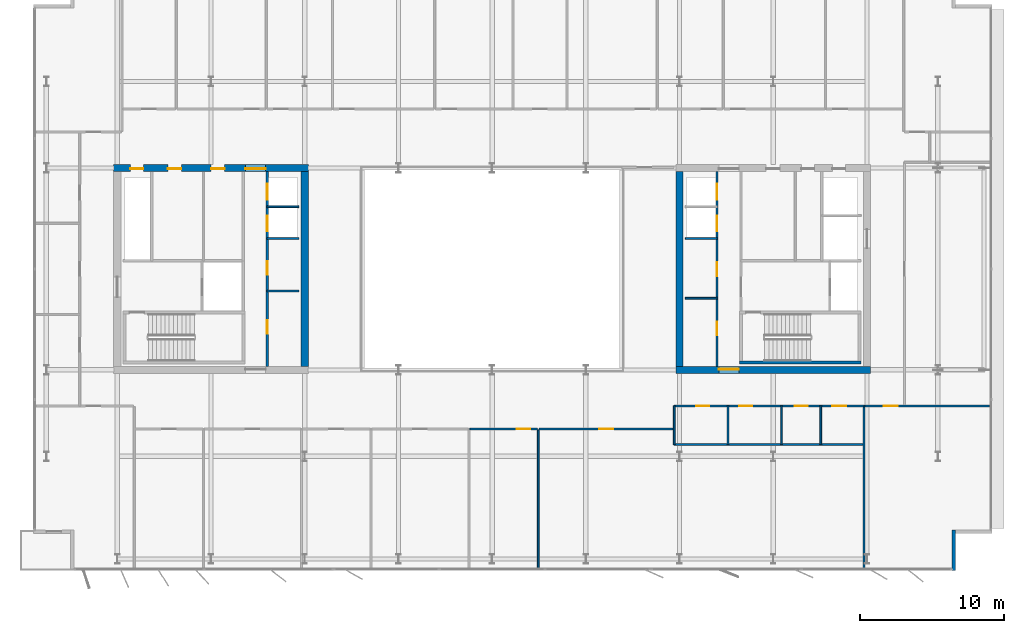
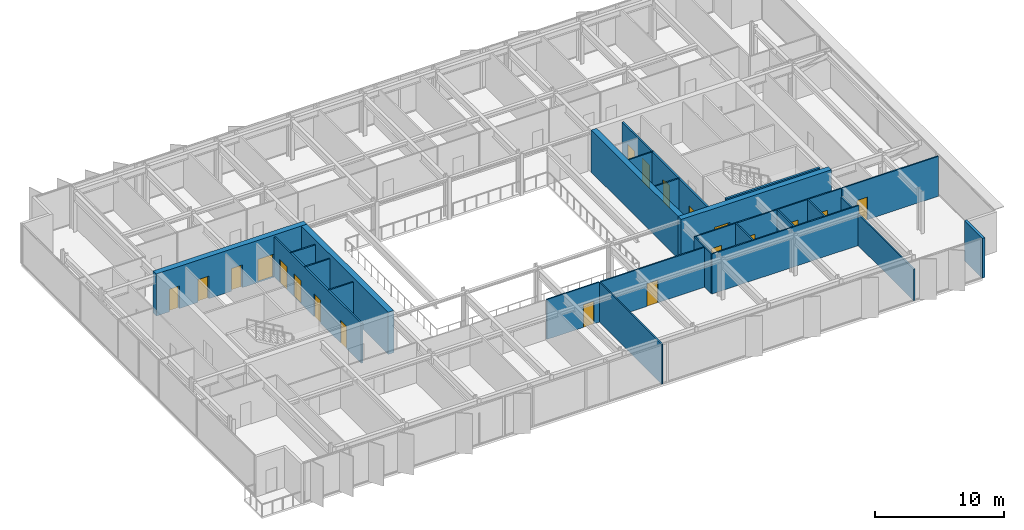
# One storey, part 14 of 20: 24 walls, 20 doors, 20 openings.
"""IFC4 building model written with IfcOpenShell, lengths in metres."""

from ifc_helpers import new_model, si_unit, direction, frame, frame_2d, origin, place, context, subcontext, project, spatial, rectangle, extrude, material, layer, layer_set, type_object, element, fill, save


model = new_model("IFC4")

# Units and contexts
model_context = context("Model", 3, precision=1e-05, world=origin(), true_north=direction((0.0, 1.0)))
body_context = subcontext(model_context, "Body", "Model", "MODEL_VIEW")
ifc_project = project(units=[si_unit("LENGTHUNIT", "METRE"), si_unit("AREAUNIT", "SQUARE_METRE"), si_unit("VOLUMEUNIT", "CUBIC_METRE"), si_unit("PLANEANGLEUNIT", "RADIAN"), si_unit("MASSUNIT", "GRAM", prefix="KILO")], contexts=[model_context])

# Site, building, storey
site_placement = place(None, origin())
site = spatial("IfcSite", under=ifc_project, at=site_placement, CompositionType="ELEMENT")
building_placement = place(site_placement, origin())
building = spatial("IfcBuilding", under=site, at=building_placement, Name="Putna Gate Headquarters", CompositionType="ELEMENT")
storey_placement = place(building_placement, frame((0.0, 0.0, 294.39990234375)))
storey = spatial("IfcBuildingStorey", under=building, at=storey_placement, Name="L74", CompositionType="ELEMENT", Elevation=294.39990234375)

# Wall, openings, doors
ifc_material_1 = material(Name="Concrete C50/60", Category="concrete")
ifc_layer_1 = layer(ifc_material_1, 0.5)
ifc_layer_set_1 = layer_set([ifc_layer_1], Name="Concrete C50/60")
wall_type_1 = type_object("IfcWallType", Name="WALL-CORE-500", PredefinedType="SHEAR", material=ifc_layer_set_1)
wall_1_placement = place(storey_placement, frame((12.75, 33.0, 0.0), z_axis=(0.0, 0.0, 1.0), x_axis=(1.0, 0.0, 0.0)))
wall_1 = element("IfcWall", 1, at=wall_1_placement, inside=storey, type_object=wall_type_1, Name="L74 WC Split Core Shear Wall N", PredefinedType="SHEAR", context=body_context, shape_type="SweptSolid", body=[
    extrude(rectangle(XDim=13.5, YDim=0.5, at=frame_2d((6.75, 0.0))), origin(), (0.0, 0.0, 1.0), 4.0),
])
opening_1_placement = place(wall_1_placement, frame((1.14990234375, 0.0, 0.0)))
opening_1 = element("IfcOpeningElement", 2, at=opening_1_placement, cuts=wall_1, Name="Opening RD-90", PredefinedType="OPENING", context=body_context, shape_type="SweptSolid", body=[
    extrude(rectangle(XDim=0.89990234375, YDim=2.14990234375, at=frame_2d((0.449951171875, 1.074951171875))), frame((0.0, 0.260009765625, 0.0), z_axis=(0.0, -1.0, 0.0), x_axis=(1.0, 0.0, 0.0)), (0.0, 0.0, 1.0), 0.52001953125),
])
opening_2_placement = place(wall_1_placement, frame((3.75, 0.0, 0.0)))
opening_2 = element("IfcOpeningElement", 3, at=opening_2_placement, cuts=wall_1, Name="Opening IDS-95", PredefinedType="OPENING", context=body_context, shape_type="SweptSolid", body=[
    extrude(rectangle(XDim=0.949951171875, YDim=2.14990234375, at=frame_2d((0.47509765625, 1.074951171875))), frame((0.0, 0.260009765625, 0.0), z_axis=(0.0, -1.0, 0.0), x_axis=(1.0, 0.0, 0.0)), (0.0, 0.0, 1.0), 0.52001953125),
])
opening_3_placement = place(wall_1_placement, frame((6.75, 0.0, 0.0)))
opening_3 = element("IfcOpeningElement", 4, at=opening_3_placement, cuts=wall_1, Name="Opening IDS-95", PredefinedType="OPENING", context=body_context, shape_type="SweptSolid", body=[
    extrude(rectangle(XDim=0.949951171875, YDim=2.14990234375, at=frame_2d((0.47509765625, 1.074951171875))), frame((0.0, 0.260009765625, 0.0), z_axis=(0.0, -1.0, 0.0), x_axis=(1.0, 0.0, 0.0)), (0.0, 0.0, 1.0), 0.52001953125),
])
opening_4_placement = place(wall_1_placement, frame((9.1298828125, 0.0, 0.0)))
opening_4 = element("IfcOpeningElement", 5, at=opening_4_placement, cuts=wall_1, Name="Opening FDD-140", PredefinedType="OPENING", context=body_context, shape_type="SweptSolid", body=[
    extrude(rectangle(XDim=1.39990234375, YDim=2.199951171875, at=frame_2d((0.699951171875, 1.10009765625))), frame((0.0, 0.260009765625, 0.0), z_axis=(0.0, -1.0, 0.0), x_axis=(1.0, 0.0, 0.0)), (0.0, 0.0, 1.0), 0.52001953125),
])
ifc_material_2 = material(Name="Double steel fire door", Category="steel")
door_type_1 = type_object("IfcDoorType", Name="DOOR-FIRE-DBL-1400", OperationType="DOUBLE_DOOR_SINGLE_SWING", PredefinedType="DOOR", material=ifc_material_2)
door_1_placement = place(opening_4_placement, origin())
door_1 = element("IfcDoor", 6, at=door_1_placement, inside=storey, type_object=door_type_1, Name="L74 West Lift Lobby North Door", OperationType="DOUBLE_DOOR_SINGLE_SWING", OverallHeight=2.199951171875, OverallWidth=1.39990234375, PredefinedType="DOOR", context=body_context, shape_type="SweptSolid", body=[
    extrude(rectangle(XDim=1.39990234375, YDim=2.199951171875, at=frame_2d((0.699951171875, 1.10009765625))), frame((0.0, -0.02490234375, 0.0), z_axis=(0.0, -1.0, 0.0), x_axis=(1.0, 0.0, 0.0)), (0.0, 0.0, 1.0), 0.050048828125),
])
fill(opening_4, door_1)
ifc_material_3 = material(Name="Fire-rated service timber door", Category="wood")
door_type_2 = type_object("IfcDoorType", Name="DOOR-INT-950", OperationType="NOTDEFINED", PredefinedType="DOOR", material=ifc_material_3)
door_2_placement = place(opening_2_placement, origin())
door_2 = element("IfcDoor", 7, at=door_2_placement, inside=storey, type_object=door_type_2, Name="L74 Cleaner Store Door", OperationType="SINGLE_SWING_LEFT", OverallHeight=2.14990234375, OverallWidth=0.949951171875, PredefinedType="DOOR", context=body_context, shape_type="SweptSolid", body=[
    extrude(rectangle(XDim=0.949951171875, YDim=2.14990234375, at=frame_2d((0.47509765625, 1.074951171875))), frame((0.0, -0.02490234375, 0.0), z_axis=(0.0, -1.0, 0.0), x_axis=(1.0, 0.0, 0.0)), (0.0, 0.0, 1.0), 0.050048828125),
])
fill(opening_2, door_2)
door_3_placement = place(opening_3_placement, origin())
door_3 = element("IfcDoor", 8, at=door_3_placement, inside=storey, type_object=door_type_2, Name="L74 Comms Plant Door", OperationType="SINGLE_SWING_RIGHT", OverallHeight=2.14990234375, OverallWidth=0.949951171875, PredefinedType="DOOR", context=body_context, shape_type="SweptSolid", body=[
    extrude(rectangle(XDim=0.949951171875, YDim=2.14990234375, at=frame_2d((0.47509765625, 1.074951171875))), frame((0.0, -0.02490234375, 0.0), z_axis=(0.0, -1.0, 0.0), x_axis=(1.0, 0.0, 0.0)), (0.0, 0.0, 1.0), 0.050048828125),
])
fill(opening_3, door_3)
ifc_material_4 = material(Name="Steel riser access fire door", Category="steel")
door_type_3 = type_object("IfcDoorType", Name="DOOR-RISER-900", OperationType="NOTDEFINED", PredefinedType="DOOR", material=ifc_material_4)
door_4_placement = place(opening_1_placement, origin())
door_4 = element("IfcDoor", 9, at=door_4_placement, inside=storey, type_object=door_type_3, Name="L74 West Riser Access Door", OperationType="SINGLE_SWING_RIGHT", OverallHeight=2.14990234375, OverallWidth=0.89990234375, PredefinedType="DOOR", context=body_context, shape_type="SweptSolid", body=[
    extrude(rectangle(XDim=0.89990234375, YDim=2.14990234375, at=frame_2d((0.449951171875, 1.074951171875))), frame((0.0, -0.02490234375, 0.0), z_axis=(0.0, -1.0, 0.0), x_axis=(1.0, 0.0, 0.0)), (0.0, 0.0, 1.0), 0.050048828125),
])
fill(opening_1, door_4)

# Wall
wall_2_placement = place(storey_placement, frame((26.0, 19.25, 0.0), z_axis=(0.0, 0.0, 1.0), x_axis=(0.0, 1.0, 0.0)))
element("IfcWall", 10, at=wall_2_placement, inside=storey, type_object=wall_type_1, Name="L74 WC Split Core Shear Wall E", PredefinedType="SHEAR", context=body_context, shape_type="SweptSolid", body=[
    extrude(rectangle(XDim=13.5, YDim=0.5, at=frame_2d((6.75, 0.0))), origin(), (0.0, 0.0, 1.0), 4.0),
])

# Wall, opening, door
wall_3_placement = place(storey_placement, frame((51.75, 19.0, 0.0), z_axis=(0.0, 0.0, 1.0), x_axis=(1.0, 0.0, 0.0)))
wall_3 = element("IfcWall", 11, at=wall_3_placement, inside=storey, type_object=wall_type_1, Name="L74 EC Split Core Shear Wall S", PredefinedType="SHEAR", context=body_context, shape_type="SweptSolid", body=[
    extrude(rectangle(XDim=13.5, YDim=0.5, at=frame_2d((6.75, 0.0))), origin(), (0.0, 0.0, 1.0), 4.0),
])
opening_5_placement = place(wall_3_placement, frame((2.969970703125, 0.0, 0.0)))
opening_5 = element("IfcOpeningElement", 12, at=opening_5_placement, cuts=wall_3, Name="Opening FDD-140", PredefinedType="OPENING", context=body_context, shape_type="SweptSolid", body=[
    extrude(rectangle(XDim=1.39990234375, YDim=2.199951171875, at=frame_2d((0.699951171875, 1.10009765625))), frame((0.0, 0.260009765625, 0.0), z_axis=(0.0, -1.0, 0.0), x_axis=(1.0, 0.0, 0.0)), (0.0, 0.0, 1.0), 0.52001953125),
])
door_5_placement = place(opening_5_placement, origin())
door_5 = element("IfcDoor", 13, at=door_5_placement, inside=storey, type_object=door_type_1, Name="L74 East Lift Lobby South Door", OperationType="DOUBLE_DOOR_SINGLE_SWING", OverallHeight=2.199951171875, OverallWidth=1.39990234375, PredefinedType="DOOR", context=body_context, shape_type="SweptSolid", body=[
    extrude(rectangle(XDim=1.39990234375, YDim=2.199951171875, at=frame_2d((0.699951171875, 1.10009765625))), frame((0.0, 0.0751953125, 0.0), z_axis=(0.0, -1.0, 0.0), x_axis=(1.0, 0.0, 0.0)), (0.0, 0.0, 1.0), 0.050048828125),
])
fill(opening_5, door_5)

# Walls
wall_4_placement = place(storey_placement, frame((52.0, 19.25, 0.0), z_axis=(0.0, 0.0, 1.0), x_axis=(0.0, 1.0, 0.0)))
element("IfcWall", 14, at=wall_4_placement, inside=storey, type_object=wall_type_1, Name="L74 EC Split Core Shear Wall W", PredefinedType="SHEAR", context=body_context, shape_type="SweptSolid", body=[
    extrude(rectangle(XDim=13.5, YDim=0.5, at=frame_2d((6.75, 0.0))), origin(), (0.0, 0.0, 1.0), 4.0),
])
ifc_material_5 = material(Name="Precast concrete C40/50", Category="concrete")
ifc_layer_2 = layer(ifc_material_5, 0.239990234375)
ifc_layer_set_2 = layer_set([ifc_layer_2], Name="Precast concrete C40/50")
wall_type_2 = type_object("IfcWallType", Name="WALL-EXT-TERR-240", PredefinedType="STANDARD", material=ifc_layer_set_2)
wall_5_placement = place(storey_placement, frame((71.0048828125, 7.89990234375, 0.0), z_axis=(0.0, 0.0, 1.0), x_axis=(0.0, -1.0, 0.0)))
element("IfcWall", 15, at=wall_5_placement, inside=storey, type_object=wall_type_2, Name="L74 Corner Notch Return Wall SE-V", PredefinedType="STANDARD", context=body_context, shape_type="SweptSolid", body=[
    extrude(rectangle(XDim=2.7998046875, YDim=0.239990234375, at=frame_2d((1.39990234375, 0.0))), origin(), (0.0, 0.0, 1.0), 3.7880859375),
])
ifc_material_6 = material(Name="Acoustic gypsum board on metal stud")
ifc_layer_3 = layer(ifc_material_6, 0.1201171875)
ifc_layer_set_3 = layer_set([ifc_layer_3], Name="Acoustic gypsum board on metal stud")
wall_type_3 = type_object("IfcWallType", Name="WALL-PART-120", PredefinedType="PARTITIONING", material=ifc_layer_set_3)
wall_6_placement = place(storey_placement, frame((42.199951171875, 5.1201171875, 0.0), z_axis=(0.0, 0.0, 1.0), x_axis=(0.0, 1.0, 0.0)))
element("IfcWall", 16, at=wall_6_placement, inside=storey, type_object=wall_type_3, Name="L74 Interior Wall PART-L74-SB-DIV-06", PredefinedType="PARTITIONING", context=body_context, shape_type="SweptSolid", body=[
    extrude(rectangle(XDim=9.719970703125, YDim=0.1201171875, at=frame_2d((4.85986328125, 0.0))), origin(), (0.0, 0.0, 1.0), 3.7880859375),
])
wall_7_placement = place(storey_placement, frame((64.800048828125, 5.1201171875, 0.0), z_axis=(0.0, 0.0, 1.0), x_axis=(0.0, 1.0, 0.0)))
element("IfcWall", 17, at=wall_7_placement, inside=storey, type_object=wall_type_3, Name="L74 Interior Wall PART-L74-SB-DIV-07", PredefinedType="PARTITIONING", context=body_context, shape_type="SweptSolid", body=[
    extrude(rectangle(XDim=11.31982421875, YDim=0.1201171875, at=frame_2d((5.659912109375, 0.0))), origin(), (0.0, 0.0, 1.0), 2.988037109375),
])
ifc_material_7 = material(Name="Fire-rated shaftwall gypsum board on metal stud")
ifc_layer_4 = layer(ifc_material_7, 0.1201171875)
ifc_layer_set_4 = layer_set([ifc_layer_4], Name="Fire-rated shaftwall gypsum board on metal stud")
wall_type_4 = type_object("IfcWallType", Name="WALL-PART-120-EI120", PredefinedType="PARTITIONING", material=ifc_layer_set_4)
wall_8_placement = place(storey_placement, frame((23.39990234375, 30.31005859375, 0.0), z_axis=(0.0, 0.0, 1.0), x_axis=(1.0, 0.0, 0.0)))
element("IfcWall", 18, at=wall_8_placement, inside=storey, type_object=wall_type_4, Name="L74 Interior Wall CWINT-L74-WC-LF09-DIV", PredefinedType="PARTITIONING", context=body_context, shape_type="SweptSolid", body=[
    extrude(rectangle(XDim=2.2001953125, YDim=0.1201171875, at=frame_2d((1.10009765625, 0.0))), origin(), (0.0, 0.0, 1.0), 3.7880859375),
])
ifc_material_8 = material(Name="Fire-rated gypsum board on metal stud")
ifc_layer_5 = layer(ifc_material_8, 0.1201171875)
ifc_layer_set_5 = layer_set([ifc_layer_5], Name="Fire-rated gypsum board on metal stud")
wall_type_5 = type_object("IfcWallType", Name="WALL-PART-120-RATED", PredefinedType="PARTITIONING", material=ifc_layer_set_5)
for number, where, z_axis, x_axis, name in (
    (19, (23.39990234375, 24.469970703125, 0.0), (0.0, 0.0, 1.0), (1.0, 0.0, 0.0), "L74 Interior Wall CWINT-L74-WC-REUSE-DIV"),
    (20, (23.39990234375, 28.1201171875, 0.0), (0.0, 0.0, 1.0), (1.0, 0.0, 0.0), "L74 Interior Wall CWINT-L74-WC-LF06-DIV"),
    (21, (52.39990234375, 23.969970703125, 0.0), (0.0, 0.0, 1.0), (1.0, 0.0, 0.0), "L74 Interior Wall CWINT-L74-EC-REUSE-DIV"),
    (22, (52.39990234375, 28.1201171875, 0.0), (0.0, 0.0, 1.0), (1.0, 0.0, 0.0), "L74 Interior Wall CWINT-L74-EC-LF08-DIV"),
):
    element("IfcWall", number, at=place(storey_placement, frame(where, z_axis=z_axis, x_axis=x_axis)), inside=storey, type_object=wall_type_5, Name=name, PredefinedType="PARTITIONING", context=body_context, shape_type="SweptSolid", body=[
        extrude(rectangle(XDim=2.2001953125, YDim=0.1201171875, at=frame_2d((1.10009765625, 0.0))), origin(), (0.0, 0.0, 1.0), 3.7880859375),
    ])

# Wall, openings, doors
wall_9_placement = place(storey_placement, frame((51.639892578125, 16.5, 0.0), z_axis=(0.0, 0.0, 1.0), x_axis=(1.0, 0.0, 0.0)))
wall_9 = element("IfcWall", 23, at=wall_9_placement, inside=storey, type_object=wall_type_5, Name="L74 Interior Wall PART-L74-SAN-CW", PredefinedType="PARTITIONING", context=body_context, shape_type="SweptSolid", body=[
    extrude(rectangle(XDim=13.16015625, YDim=0.1201171875, at=frame_2d((6.580078125, 0.0))), origin(), (0.0, 0.0, 1.0), 3.7880859375),
])
opening_6_placement = place(wall_9_placement, frame((1.510009765625, 0.0, 0.0)))
opening_6 = element("IfcOpeningElement", 24, at=opening_6_placement, cuts=wall_9, Name="Opening FD-90", PredefinedType="OPENING", context=body_context, shape_type="SweptSolid", body=[
    extrude(rectangle(XDim=0.89990234375, YDim=2.14990234375, at=frame_2d((0.449951171875, 1.074951171875))), frame((0.0, 0.070068359375, 0.0), z_axis=(0.0, -1.0, 0.0), x_axis=(1.0, 0.0, 0.0)), (0.0, 0.0, 1.0), 0.14013671875),
])
opening_7_placement = place(wall_9_placement, frame((4.510009765625, 0.0, 0.0)))
opening_7 = element("IfcOpeningElement", 25, at=opening_7_placement, cuts=wall_9, Name="Opening FD-90", PredefinedType="OPENING", context=body_context, shape_type="SweptSolid", body=[
    extrude(rectangle(XDim=0.89990234375, YDim=2.14990234375, at=frame_2d((0.449951171875, 1.074951171875))), frame((0.0, 0.070068359375, 0.0), z_axis=(0.0, -1.0, 0.0), x_axis=(1.0, 0.0, 0.0)), (0.0, 0.0, 1.0), 0.14013671875),
])
opening_8_placement = place(wall_9_placement, frame((8.360107421875, 0.0, 0.0)))
opening_8 = element("IfcOpeningElement", 26, at=opening_8_placement, cuts=wall_9, Name="Opening FD-90", PredefinedType="OPENING", context=body_context, shape_type="SweptSolid", body=[
    extrude(rectangle(XDim=0.89990234375, YDim=2.14990234375, at=frame_2d((0.449951171875, 1.074951171875))), frame((0.0, 0.070068359375, 0.0), z_axis=(0.0, -1.0, 0.0), x_axis=(1.0, 0.0, 0.0)), (0.0, 0.0, 1.0), 0.14013671875),
])
opening_9_placement = place(wall_9_placement, frame((10.9599609375, 0.0, 0.0)))
opening_9 = element("IfcOpeningElement", 27, at=opening_9_placement, cuts=wall_9, Name="Opening FD-95", PredefinedType="OPENING", context=body_context, shape_type="SweptSolid", body=[
    extrude(rectangle(XDim=0.949951171875, YDim=2.14990234375, at=frame_2d((0.47509765625, 1.074951171875))), frame((0.0, 0.070068359375, 0.0), z_axis=(0.0, -1.0, 0.0), x_axis=(1.0, 0.0, 0.0)), (0.0, 0.0, 1.0), 0.14013671875),
])
ifc_material_9 = material(Name="Acoustic washroom fire door")
door_type_4 = type_object("IfcDoorType", Name="DOOR-FIRE-900", OperationType="NOTDEFINED", PredefinedType="DOOR", material=ifc_material_9)
door_6_placement = place(opening_6_placement, origin())
door_6 = element("IfcDoor", 28, at=door_6_placement, inside=storey, type_object=door_type_4, Name="L74 Washroom Male Door", OperationType="SINGLE_SWING_RIGHT", OverallHeight=2.14990234375, OverallWidth=0.89990234375, PredefinedType="DOOR", context=body_context, shape_type="SweptSolid", body=[
    extrude(rectangle(XDim=0.89990234375, YDim=2.14990234375, at=frame_2d((0.449951171875, 1.074951171875))), frame((0.0, 0.02490234375, 0.0), z_axis=(0.0, -1.0, 0.0), x_axis=(1.0, 0.0, 0.0)), (0.0, 0.0, 1.0), 0.050048828125),
])
fill(opening_6, door_6)
door_7_placement = place(opening_7_placement, origin())
door_7 = element("IfcDoor", 29, at=door_7_placement, inside=storey, type_object=door_type_4, Name="L74 Washroom Female Door", OperationType="SINGLE_SWING_LEFT", OverallHeight=2.14990234375, OverallWidth=0.89990234375, PredefinedType="DOOR", context=body_context, shape_type="SweptSolid", body=[
    extrude(rectangle(XDim=0.89990234375, YDim=2.14990234375, at=frame_2d((0.449951171875, 1.074951171875))), frame((0.0, 0.02490234375, 0.0), z_axis=(0.0, -1.0, 0.0), x_axis=(1.0, 0.0, 0.0)), (0.0, 0.0, 1.0), 0.050048828125),
])
fill(opening_7, door_7)
door_8_placement = place(opening_8_placement, origin())
door_8 = element("IfcDoor", 30, at=door_8_placement, inside=storey, type_object=door_type_4, Name="L74 Accessible WC Door", OperationType="SINGLE_SWING_RIGHT", OverallHeight=2.14990234375, OverallWidth=0.89990234375, PredefinedType="DOOR", context=body_context, shape_type="SweptSolid", body=[
    extrude(rectangle(XDim=0.89990234375, YDim=2.14990234375, at=frame_2d((0.449951171875, 1.074951171875))), frame((0.0, 0.02490234375, 0.0), z_axis=(0.0, -1.0, 0.0), x_axis=(1.0, 0.0, 0.0)), (0.0, 0.0, 1.0), 0.050048828125),
])
fill(opening_8, door_8)
ifc_material_10 = material(Name="Acoustic timber fire door", Category="wood")
door_type_5 = type_object("IfcDoorType", Name="DOOR-FIRE-950", OperationType="NOTDEFINED", PredefinedType="DOOR", material=ifc_material_10)
door_9_placement = place(opening_9_placement, origin())
door_9 = element("IfcDoor", 31, at=door_9_placement, inside=storey, type_object=door_type_5, Name="L74 Staff Pantry and Tea Point Door", OperationType="SINGLE_SWING_LEFT", OverallHeight=2.14990234375, OverallWidth=0.949951171875, PredefinedType="DOOR", context=body_context, shape_type="SweptSolid", body=[
    extrude(rectangle(XDim=0.949951171875, YDim=2.14990234375, at=frame_2d((0.47509765625, 1.074951171875))), frame((0.0, 0.02490234375, 0.0), z_axis=(0.0, -1.0, 0.0), x_axis=(1.0, 0.0, 0.0)), (0.0, 0.0, 1.0), 0.050048828125),
])
fill(opening_9, door_9)

# Walls
wall_10_placement = place(storey_placement, frame((51.639892578125, 13.820068359375, 0.0), z_axis=(0.0, 0.0, 1.0), x_axis=(1.0, 0.0, 0.0)))
element("IfcWall", 32, at=wall_10_placement, inside=storey, type_object=wall_type_5, Name="L74 Interior Wall PART-L74-SAN-BACK", PredefinedType="PARTITIONING", context=body_context, shape_type="SweptSolid", body=[
    extrude(rectangle(XDim=13.16015625, YDim=0.1201171875, at=frame_2d((6.580078125, 0.0))), origin(), (0.0, 0.0, 1.0), 3.7880859375),
])
for number, where, z_axis, x_axis, name in (
    (33, (51.639892578125, 13.820068359375, 0.0), (0.0, 0.0, 1.0), (0.0, 1.0, 0.0), "L74 Interior Wall PART-L74-SAN-DIV-1"),
    (34, (55.360107421875, 13.820068359375, 0.0), (0.0, 0.0, 1.0), (0.0, 1.0, 0.0), "L74 Interior Wall PART-L74-SAN-DIV-2"),
    (35, (59.080078125, 13.820068359375, 0.0), (0.0, 0.0, 1.0), (0.0, 1.0, 0.0), "L74 Interior Wall PART-L74-SAN-DIV-3"),
    (36, (61.800048828125, 13.820068359375, 0.0), (0.0, 0.0, 1.0), (0.0, 1.0, 0.0), "L74 Interior Wall PART-L74-SAN-DIV-4"),
):
    element("IfcWall", number, at=place(storey_placement, frame(where, z_axis=z_axis, x_axis=x_axis)), inside=storey, type_object=wall_type_5, Name=name, PredefinedType="PARTITIONING", context=body_context, shape_type="SweptSolid", body=[
        extrude(rectangle(XDim=2.679931640625, YDim=0.1201171875, at=frame_2d((1.33984375, 0.0))), origin(), (0.0, 0.0, 1.0), 3.7880859375),
    ])

# Wall, opening, door
wall_11_placement = place(storey_placement, frame((37.447509765625, 14.89990234375, 0.0), z_axis=(0.0, 0.0, 1.0), x_axis=(1.0, 0.0, 0.0)))
wall_11 = element("IfcWall", 37, at=wall_11_placement, inside=storey, type_object=wall_type_5, Name="L74 Interior Wall PART-L74-SB-CW-06", PredefinedType="PARTITIONING", context=body_context, shape_type="SweptSolid", body=[
    extrude(rectangle(XDim=4.6923828125, YDim=0.1201171875, at=frame_2d((2.34619140625, 0.0))), origin(), (0.0, 0.0, 1.0), 3.7880859375),
])
opening_10_placement = place(wall_11_placement, frame((3.262451171875, 0.0, 0.0)))
opening_10 = element("IfcOpeningElement", 38, at=opening_10_placement, cuts=wall_11, Name="Opening FD-95", PredefinedType="OPENING", context=body_context, shape_type="SweptSolid", body=[
    extrude(rectangle(XDim=0.949951171875, YDim=2.14990234375, at=frame_2d((0.47509765625, 1.074951171875))), frame((0.0, 0.070068359375, 0.0), z_axis=(0.0, -1.0, 0.0), x_axis=(1.0, 0.0, 0.0)), (0.0, 0.0, 1.0), 0.14013671875),
])
door_10_placement = place(opening_10_placement, origin())
door_10 = element("IfcDoor", 39, at=door_10_placement, inside=storey, type_object=door_type_5, Name="L74 Conference Meeting Room 5 Door", OperationType="SINGLE_SWING_LEFT", OverallHeight=2.14990234375, OverallWidth=0.949951171875, PredefinedType="DOOR", context=body_context, shape_type="SweptSolid", body=[
    extrude(rectangle(XDim=0.949951171875, YDim=2.14990234375, at=frame_2d((0.47509765625, 1.074951171875))), frame((0.0, 0.02490234375, 0.0), z_axis=(0.0, -1.0, 0.0), x_axis=(1.0, 0.0, 0.0)), (0.0, 0.0, 1.0), 0.050048828125),
])
fill(opening_10, door_10)

wall_12_placement = place(storey_placement, frame((42.260009765625, 14.89990234375, 0.0), z_axis=(0.0, 0.0, 1.0), x_axis=(1.0, 0.0, 0.0)))
wall_12 = element("IfcWall", 40, at=wall_12_placement, inside=storey, type_object=wall_type_5, Name="L74 Interior Wall PART-L74-SB-CW-07", PredefinedType="PARTITIONING", context=body_context, shape_type="SweptSolid", body=[
    extrude(rectangle(XDim=9.320068359375, YDim=0.1201171875, at=frame_2d((4.66015625, 0.0))), origin(), (0.0, 0.0, 1.0), 3.7880859375),
])
opening_11_placement = place(wall_12_placement, frame((4.18505859375, 0.0, 0.0)))
opening_11 = element("IfcOpeningElement", 41, at=opening_11_placement, cuts=wall_12, Name="Opening FD-95", PredefinedType="OPENING", context=body_context, shape_type="SweptSolid", body=[
    extrude(rectangle(XDim=0.949951171875, YDim=2.14990234375, at=frame_2d((0.47509765625, 1.074951171875))), frame((0.0, 0.070068359375, 0.0), z_axis=(0.0, -1.0, 0.0), x_axis=(1.0, 0.0, 0.0)), (0.0, 0.0, 1.0), 0.14013671875),
])
door_11_placement = place(opening_11_placement, origin())
door_11 = element("IfcDoor", 42, at=door_11_placement, inside=storey, type_object=door_type_5, Name="L74 Primary Open Office Workplace Door", OperationType="SINGLE_SWING_RIGHT", OverallHeight=2.14990234375, OverallWidth=0.949951171875, PredefinedType="DOOR", context=body_context, shape_type="SweptSolid", body=[
    extrude(rectangle(XDim=0.949951171875, YDim=2.14990234375, at=frame_2d((0.47509765625, 1.074951171875))), frame((0.0, 0.02490234375, 0.0), z_axis=(0.0, -1.0, 0.0), x_axis=(1.0, 0.0, 0.0)), (0.0, 0.0, 1.0), 0.050048828125),
])
fill(opening_11, door_11)

wall_13_placement = place(storey_placement, frame((64.860107421875, 16.5, 0.0), z_axis=(0.0, 0.0, 1.0), x_axis=(1.0, 0.0, 0.0)))
wall_13 = element("IfcWall", 43, at=wall_13_placement, inside=storey, type_object=wall_type_5, Name="L74 Interior Wall PART-L74-SB-CW-08", PredefinedType="PARTITIONING", context=body_context, shape_type="SweptSolid", body=[
    extrude(rectangle(XDim=8.644775390625, YDim=0.1201171875, at=frame_2d((4.322265625, 0.0))), origin(), (0.0, 0.0, 1.0), 3.7880859375),
])
opening_12_placement = place(wall_13_placement, frame((1.31005859375, 0.0, 0.0)))
opening_12 = element("IfcOpeningElement", 44, at=opening_12_placement, cuts=wall_13, Name="Opening FD-95", PredefinedType="OPENING", context=body_context, shape_type="SweptSolid", body=[
    extrude(rectangle(XDim=0.949951171875, YDim=2.14990234375, at=frame_2d((0.47509765625, 1.074951171875))), frame((0.0, 0.070068359375, 0.0), z_axis=(0.0, -1.0, 0.0), x_axis=(1.0, 0.0, 0.0)), (0.0, 0.0, 1.0), 0.14013671875),
])
door_12_placement = place(opening_12_placement, origin())
door_12 = element("IfcDoor", 45, at=door_12_placement, inside=storey, type_object=door_type_5, Name="L74 Collaborative Breakout Lounge 2 Door", OperationType="SINGLE_SWING_LEFT", OverallHeight=2.14990234375, OverallWidth=0.949951171875, PredefinedType="DOOR", context=body_context, shape_type="SweptSolid", body=[
    extrude(rectangle(XDim=0.949951171875, YDim=2.14990234375, at=frame_2d((0.47509765625, 1.074951171875))), frame((0.0, 0.02490234375, 0.0), z_axis=(0.0, -1.0, 0.0), x_axis=(1.0, 0.0, 0.0)), (0.0, 0.0, 1.0), 0.050048828125),
])
fill(opening_12, door_12)

# Wall, openings, doors
ifc_material_11 = material(Name="Concrete C40/50", Category="concrete")
ifc_layer_6 = layer(ifc_material_11, 0.159912109375)
ifc_layer_set_6 = layer_set([ifc_layer_6], Name="Concrete C40/50")
wall_type_6 = type_object("IfcWallType", Name="WALL-SHAFT-160", PredefinedType="STANDARD", material=ifc_layer_set_6)
wall_14_placement = place(storey_placement, frame((23.39990234375, 19.25, 0.0), z_axis=(0.0, 0.0, 1.0), x_axis=(0.0, 1.0, 0.0)))
wall_14 = element("IfcWall", 46, at=wall_14_placement, inside=storey, type_object=wall_type_6, Name="L74 Interior Wall CWINT-L74-WC-PL-WALL", PredefinedType="STANDARD", context=body_context, shape_type="SweptSolid", body=[
    extrude(rectangle(XDim=13.5, YDim=0.159912109375, at=frame_2d((6.75, 0.0))), origin(), (0.0, 0.0, 1.0), 3.7880859375),
])
opening_13_placement = place(wall_14_placement, frame((2.25, 0.0, 0.0)))
opening_13 = element("IfcOpeningElement", 47, at=opening_13_placement, cuts=wall_14, Name="Opening IDS-95", PredefinedType="OPENING", context=body_context, shape_type="SweptSolid", body=[
    extrude(rectangle(XDim=0.949951171875, YDim=2.14990234375, at=frame_2d((0.47509765625, 1.074951171875))), frame((0.0, 0.08984375, 0.0), z_axis=(0.0, -1.0, 0.0), x_axis=(1.0, 0.0, 0.0)), (0.0, 0.0, 1.0), 0.179931640625),
])
opening_14_placement = place(wall_14_placement, frame((6.35009765625, 0.0, 0.0)))
opening_14 = element("IfcOpeningElement", 48, at=opening_14_placement, cuts=wall_14, Name="Opening IDS-95", PredefinedType="OPENING", context=body_context, shape_type="SweptSolid", body=[
    extrude(rectangle(XDim=0.949951171875, YDim=2.14990234375, at=frame_2d((0.47509765625, 1.074951171875))), frame((0.0, 0.08984375, 0.0), z_axis=(0.0, -1.0, 0.0), x_axis=(1.0, 0.0, 0.0)), (0.0, 0.0, 1.0), 0.179931640625),
])
opening_15_placement = place(wall_14_placement, frame((9.35009765625, 0.0, 0.0)))
opening_15 = element("IfcOpeningElement", 49, at=opening_15_placement, cuts=wall_14, Name="Opening LD-1", PredefinedType="OPENING", context=body_context, shape_type="SweptSolid", body=[
    extrude(rectangle(XDim=1.10009765625, YDim=2.199951171875, at=frame_2d((0.550048828125, 1.10009765625))), frame((0.0, 0.08984375, 0.0), z_axis=(0.0, -1.0, 0.0), x_axis=(1.0, 0.0, 0.0)), (0.0, 0.0, 1.0), 0.179931640625),
])
opening_16_placement = place(wall_14_placement, frame((11.550048828125, 0.0, 0.0)))
opening_16 = element("IfcOpeningElement", 50, at=opening_16_placement, cuts=wall_14, Name="Opening LD-1", PredefinedType="OPENING", context=body_context, shape_type="SweptSolid", body=[
    extrude(rectangle(XDim=1.10009765625, YDim=2.199951171875, at=frame_2d((0.550048828125, 1.10009765625))), frame((0.0, 0.08984375, 0.0), z_axis=(0.0, -1.0, 0.0), x_axis=(1.0, 0.0, 0.0)), (0.0, 0.0, 1.0), 0.179931640625),
])
door_13_placement = place(opening_13_placement, origin())
door_13 = element("IfcDoor", 51, at=door_13_placement, inside=storey, type_object=door_type_2, Name="L74 Tenant IT Hub Door", OperationType="SINGLE_SWING_LEFT", OverallHeight=2.14990234375, OverallWidth=0.949951171875, PredefinedType="DOOR", context=body_context, shape_type="SweptSolid", body=[
    extrude(rectangle(XDim=0.949951171875, YDim=2.14990234375, at=frame_2d((0.47509765625, 1.074951171875))), frame((0.0, 0.02490234375, 0.0), z_axis=(0.0, -1.0, 0.0), x_axis=(1.0, 0.0, 0.0)), (0.0, 0.0, 1.0), 0.050048828125),
])
fill(opening_13, door_13)
door_14_placement = place(opening_14_placement, origin())
door_14 = element("IfcDoor", 52, at=door_14_placement, inside=storey, type_object=door_type_2, Name="L74 Records Vault Door", OperationType="SINGLE_SWING_RIGHT", OverallHeight=2.14990234375, OverallWidth=0.949951171875, PredefinedType="DOOR", context=body_context, shape_type="SweptSolid", body=[
    extrude(rectangle(XDim=0.949951171875, YDim=2.14990234375, at=frame_2d((0.47509765625, 1.074951171875))), frame((0.0, 0.02490234375, 0.0), z_axis=(0.0, -1.0, 0.0), x_axis=(1.0, 0.0, 0.0)), (0.0, 0.0, 1.0), 0.050048828125),
])
fill(opening_14, door_14)
ifc_material_12 = material(Name="Brushed bronze stainless lift landing door")
door_type_6 = type_object("IfcDoorType", Name="DOOR-LIFT-1100", OperationType="DOUBLE_DOOR_SLIDING", PredefinedType="DOOR", material=ifc_material_12)
door_15_placement = place(opening_15_placement, origin())
door_15 = element("IfcDoor", 53, at=door_15_placement, inside=storey, type_object=door_type_6, Name="L74 Lift Landing Door LD-09", OperationType="DOUBLE_DOOR_SLIDING", OverallHeight=2.199951171875, OverallWidth=1.10009765625, PredefinedType="DOOR", context=body_context, shape_type="SweptSolid", body=[
    extrude(rectangle(XDim=1.10009765625, YDim=2.199951171875, at=frame_2d((0.550048828125, 1.10009765625))), frame((0.0, 0.02490234375, 0.0), z_axis=(0.0, -1.0, 0.0), x_axis=(1.0, 0.0, 0.0)), (0.0, 0.0, 1.0), 0.050048828125),
])
fill(opening_15, door_15)
door_16_placement = place(opening_16_placement, origin())
door_16 = element("IfcDoor", 54, at=door_16_placement, inside=storey, type_object=door_type_6, Name="L74 Lift Landing Door LD-10", OperationType="DOUBLE_DOOR_SLIDING", OverallHeight=2.199951171875, OverallWidth=1.10009765625, PredefinedType="DOOR", context=body_context, shape_type="SweptSolid", body=[
    extrude(rectangle(XDim=1.10009765625, YDim=2.199951171875, at=frame_2d((0.550048828125, 1.10009765625))), frame((0.0, 0.02490234375, 0.0), z_axis=(0.0, -1.0, 0.0), x_axis=(1.0, 0.0, 0.0)), (0.0, 0.0, 1.0), 0.050048828125),
])
fill(opening_16, door_16)

wall_15_placement = place(storey_placement, frame((54.60009765625, 19.25, 0.0), z_axis=(0.0, 0.0, 1.0), x_axis=(0.0, 1.0, 0.0)))
wall_15 = element("IfcWall", 55, at=wall_15_placement, inside=storey, type_object=wall_type_6, Name="L74 Interior Wall CWINT-L74-EC-PL-WALL", PredefinedType="STANDARD", context=body_context, shape_type="SweptSolid", body=[
    extrude(rectangle(XDim=13.5, YDim=0.159912109375, at=frame_2d((6.75, 0.0))), origin(), (0.0, 0.0, 1.0), 3.7880859375),
])
opening_17_placement = place(wall_15_placement, frame((2.14990234375, 0.0, 0.0)))
opening_17 = element("IfcOpeningElement", 56, at=opening_17_placement, cuts=wall_15, Name="Opening IDS-95", PredefinedType="OPENING", context=body_context, shape_type="SweptSolid", body=[
    extrude(rectangle(XDim=0.949951171875, YDim=2.14990234375, at=frame_2d((0.47509765625, 1.074951171875))), frame((0.0, 0.08984375, 0.0), z_axis=(0.0, -1.0, 0.0), x_axis=(1.0, 0.0, 0.0)), (0.0, 0.0, 1.0), 0.179931640625),
])
opening_18_placement = place(wall_15_placement, frame((6.25, 0.0, 0.0)))
opening_18 = element("IfcOpeningElement", 57, at=opening_18_placement, cuts=wall_15, Name="Opening IDS-95", PredefinedType="OPENING", context=body_context, shape_type="SweptSolid", body=[
    extrude(rectangle(XDim=0.949951171875, YDim=2.14990234375, at=frame_2d((0.47509765625, 1.074951171875))), frame((0.0, 0.08984375, 0.0), z_axis=(0.0, -1.0, 0.0), x_axis=(1.0, 0.0, 0.0)), (0.0, 0.0, 1.0), 0.179931640625),
])
opening_19_placement = place(wall_15_placement, frame((9.35009765625, 0.0, 0.0)))
opening_19 = element("IfcOpeningElement", 58, at=opening_19_placement, cuts=wall_15, Name="Opening LD-1", PredefinedType="OPENING", context=body_context, shape_type="SweptSolid", body=[
    extrude(rectangle(XDim=1.10009765625, YDim=2.199951171875, at=frame_2d((0.550048828125, 1.10009765625))), frame((0.0, 0.08984375, 0.0), z_axis=(0.0, -1.0, 0.0), x_axis=(1.0, 0.0, 0.0)), (0.0, 0.0, 1.0), 0.179931640625),
])
opening_20_placement = place(wall_15_placement, frame((11.550048828125, 0.0, 0.0)))
opening_20 = element("IfcOpeningElement", 59, at=opening_20_placement, cuts=wall_15, Name="Opening LD-1", PredefinedType="OPENING", context=body_context, shape_type="SweptSolid", body=[
    extrude(rectangle(XDim=1.10009765625, YDim=2.199951171875, at=frame_2d((0.550048828125, 1.10009765625))), frame((0.0, 0.08984375, 0.0), z_axis=(0.0, -1.0, 0.0), x_axis=(1.0, 0.0, 0.0)), (0.0, 0.0, 1.0), 0.179931640625),
])
door_17_placement = place(opening_17_placement, origin())
door_17 = element("IfcDoor", 60, at=door_17_placement, inside=storey, type_object=door_type_2, Name="L74 Executive Archive Door", OperationType="SINGLE_SWING_RIGHT", OverallHeight=2.14990234375, OverallWidth=0.949951171875, PredefinedType="DOOR", context=body_context, shape_type="SweptSolid", body=[
    extrude(rectangle(XDim=0.949951171875, YDim=2.14990234375, at=frame_2d((0.47509765625, 1.074951171875))), frame((0.0, 0.02490234375, 0.0), z_axis=(0.0, -1.0, 0.0), x_axis=(1.0, 0.0, 0.0)), (0.0, 0.0, 1.0), 0.050048828125),
])
fill(opening_17, door_17)
door_18_placement = place(opening_18_placement, origin())
door_18 = element("IfcDoor", 61, at=door_18_placement, inside=storey, type_object=door_type_2, Name="L74 Comms Distribution Door", OperationType="SINGLE_SWING_LEFT", OverallHeight=2.14990234375, OverallWidth=0.949951171875, PredefinedType="DOOR", context=body_context, shape_type="SweptSolid", body=[
    extrude(rectangle(XDim=0.949951171875, YDim=2.14990234375, at=frame_2d((0.47509765625, 1.074951171875))), frame((0.0, 0.02490234375, 0.0), z_axis=(0.0, -1.0, 0.0), x_axis=(1.0, 0.0, 0.0)), (0.0, 0.0, 1.0), 0.050048828125),
])
fill(opening_18, door_18)
door_19_placement = place(opening_19_placement, origin())
door_19 = element("IfcDoor", 62, at=door_19_placement, inside=storey, type_object=door_type_6, Name="L74 Lift Landing Door LD-11", OperationType="DOUBLE_DOOR_SLIDING", OverallHeight=2.199951171875, OverallWidth=1.10009765625, PredefinedType="DOOR", context=body_context, shape_type="SweptSolid", body=[
    extrude(rectangle(XDim=1.10009765625, YDim=2.199951171875, at=frame_2d((0.550048828125, 1.10009765625))), frame((0.0, 0.02490234375, 0.0), z_axis=(0.0, -1.0, 0.0), x_axis=(1.0, 0.0, 0.0)), (0.0, 0.0, 1.0), 0.050048828125),
])
fill(opening_19, door_19)
door_20_placement = place(opening_20_placement, origin())
door_20 = element("IfcDoor", 63, at=door_20_placement, inside=storey, type_object=door_type_6, Name="L74 Lift Landing Door LD-12", OperationType="DOUBLE_DOOR_SLIDING", OverallHeight=2.199951171875, OverallWidth=1.10009765625, PredefinedType="DOOR", context=body_context, shape_type="SweptSolid", body=[
    extrude(rectangle(XDim=1.10009765625, YDim=2.199951171875, at=frame_2d((0.550048828125, 1.10009765625))), frame((0.0, 0.02490234375, 0.0), z_axis=(0.0, -1.0, 0.0), x_axis=(1.0, 0.0, 0.0)), (0.0, 0.0, 1.0), 0.050048828125),
])
fill(opening_20, door_20)

# Wall
ifc_layer_7 = layer(ifc_material_11, 0.199951171875)
ifc_layer_set_7 = layer_set([ifc_layer_7], Name="Concrete C40/50")
wall_type_7 = type_object("IfcWallType", Name="WALL-SHAFT-RC200", PredefinedType="SHEAR", material=ifc_layer_set_7)
wall_16_placement = place(storey_placement, frame((56.159912109375, 19.510009765625, 0.0), z_axis=(0.0, 0.0, 1.0), x_axis=(1.0, 0.0, 0.0)))
element("IfcWall", 64, at=wall_16_placement, inside=storey, type_object=wall_type_7, Name="L74 Stair ST2 Structural Shaft Wall S", PredefinedType="SHEAR", context=body_context, shape_type="SweptSolid", body=[
    extrude(rectangle(XDim=8.43017578125, YDim=0.199951171875, at=frame_2d((4.215087890625, 0.0))), origin(), (0.0, 0.0, 1.0), 4.0),
])

save(model, "model.ifc")
